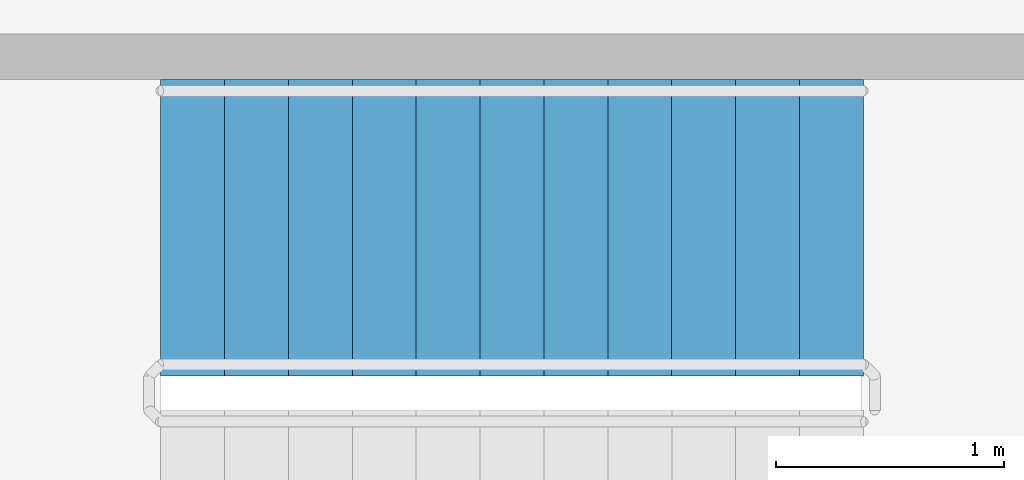
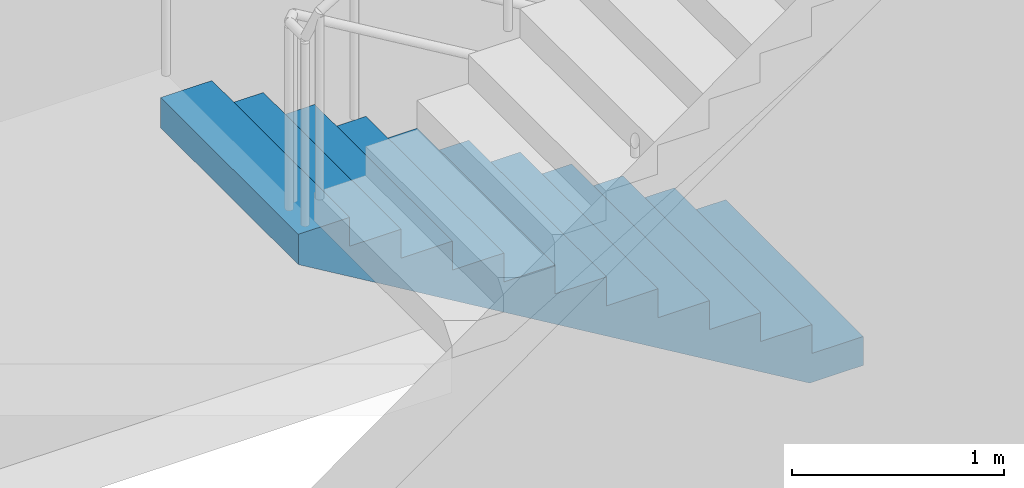
# One storey, part 8 of 10: 1 stair flight, 1 element without a shape of its own.
"""IFC4 building model written with IfcOpenShell, lengths in metres."""

from ifc_helpers import new_model, si_unit, direction, frame, origin, place, context, subcontext, project, spatial, polyline, outline, extrude, material, type_object, element, aggregate, save


model = new_model("IFC4")

# Units and contexts
model_context = context("Model", 3, precision=1e-05, world=origin(), true_north=direction((0.0, 1.0)))
body_context = subcontext(model_context, "Body", "Model", "MODEL_VIEW")
ifc_project = project(units=[si_unit("LENGTHUNIT", "METRE"), si_unit("AREAUNIT", "SQUARE_METRE"), si_unit("VOLUMEUNIT", "CUBIC_METRE"), si_unit("PLANEANGLEUNIT", "RADIAN"), si_unit("MASSUNIT", "GRAM", prefix="KILO")], contexts=[model_context])

# Site, building, storey
site_placement = place(None, origin())
site = spatial("IfcSite", under=ifc_project, at=site_placement, CompositionType="ELEMENT")
building_placement = place(site_placement, origin())
building = spatial("IfcBuilding", under=site, at=building_placement, Name="Corvane Civic Tower", CompositionType="ELEMENT")
storey_placement = place(building_placement, frame((0.0, 0.0, 130.5)))
storey = spatial("IfcBuildingStorey", under=building, at=storey_placement, Name="L30", CompositionType="ELEMENT", Elevation=130.5)

# Stair, stair flight
ifc_material_1 = material(Name="Concrete C40/50", Category="concrete")
stair_type = type_object("IfcStairType", Name="ST-STAIR-HALFTURN", PredefinedType="HALF_TURN_STAIR", material=ifc_material_1)
stair_placement = place(storey_placement, origin())
stair = element("IfcStair", 1, at=stair_placement, inside=storey, type_object=stair_type, Name="L30 Exit stair ST1", PredefinedType="HALF_TURN_STAIR")
ifc_material_2 = material(Name="Concrete C40/50", Category="concrete")
stair_flight_type = type_object("IfcStairFlightType", Name="ST-FLIGHT-RC", PredefinedType="STRAIGHT", material=ifc_material_2)
stair_flight_placement = place(storey_placement, frame((8.89990234375, 9.550048828125, 0.0), z_axis=(0.0, 0.0, 1.0), x_axis=(-1.0, 0.0, 0.0)))
stair_flight = element("IfcStairFlight", 2, at=stair_flight_placement, type_object=stair_flight_type, Name="ST1 flight 1", NumberOfRisers=12, NumberOfTreads=11, PredefinedType="STRAIGHT", RiserHeight=0.166666667, TreadLength=0.28, context=body_context, shape_type="SweptSolid", body=[
    extrude(outline(polyline([(0.0, 0.0), (0.0, 0.166748046875), (0.280029296875, 0.166748046875), (0.280029296875, 0.333251953125), (0.56005859375, 0.333251953125), (0.56005859375, 0.5), (0.840087890625, 0.5), (0.840087890625, 0.666748046875), (1.1201171875, 0.666748046875), (1.1201171875, 0.833251953125), (1.39990234375, 0.833251953125), (1.39990234375, 1.0), (1.679931640625, 1.0), (1.679931640625, 1.166748046875), (1.9599609375, 1.166748046875), (1.9599609375, 1.333251953125), (2.239990234375, 1.333251953125), (2.239990234375, 1.5), (2.52001953125, 1.5), (2.52001953125, 1.666748046875), (2.800048828125, 1.666748046875), (2.800048828125, 1.833251953125), (3.080078125, 1.833251953125), (3.080078125, 2.0), (3.080078125, 1.658935546875), (0.29296875, 0.0), (0.0, 0.0)])), frame((0.0, 0.64990234375, 0.0), z_axis=(0.0, -1.0, 0.0), x_axis=(1.0, 0.0, 0.0)), (0.0, 0.0, 1.0), 1.300048828125),
])
aggregate(stair, [stair_flight])

save(model, "model.ifc")
